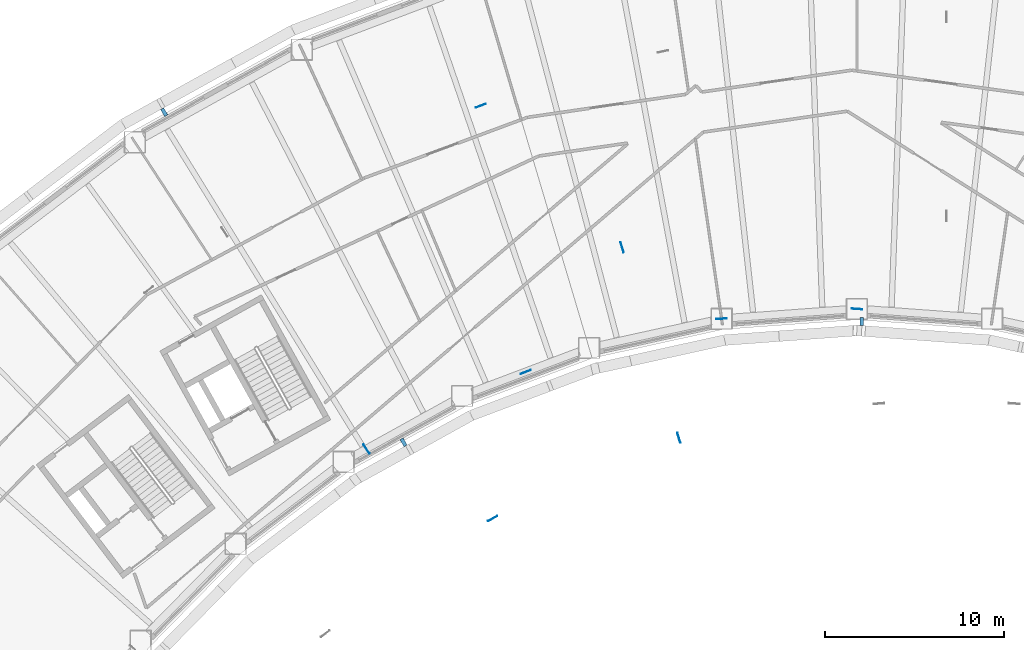
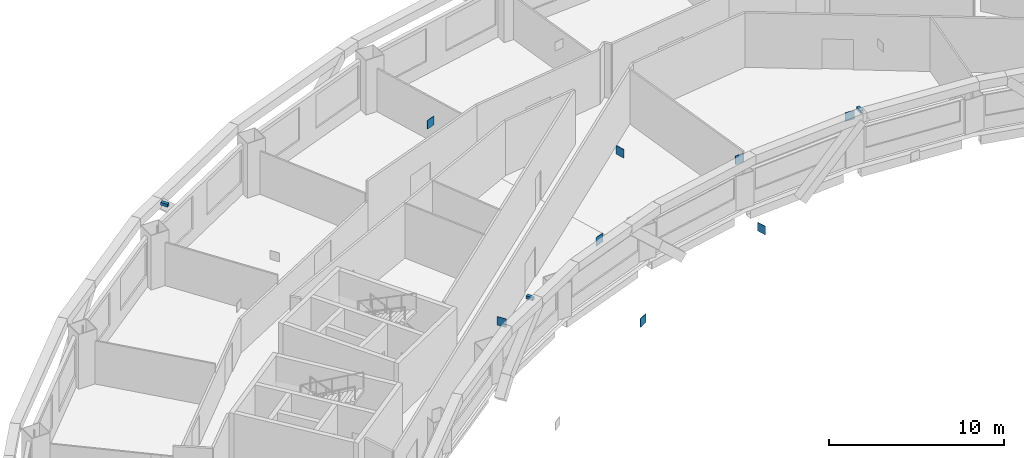
# One storey, part 11 of 19: 11 discrete accessories.
"""IFC4 building model written with IfcOpenShell, lengths in metres."""

from ifc_helpers import new_model, si_unit, direction, frame, origin, origin_2d, place, context, subcontext, project, spatial, rectangle, extrude, material, type_object, element, save


model = new_model("IFC4")

# Units and contexts
model_context = context("Model", 3, precision=1e-05, world=origin(), true_north=direction((0.0, 1.0)))
body_context = subcontext(model_context, "Body", "Model", "MODEL_VIEW")
ifc_project = project(units=[si_unit("LENGTHUNIT", "METRE"), si_unit("AREAUNIT", "SQUARE_METRE"), si_unit("VOLUMEUNIT", "CUBIC_METRE"), si_unit("PLANEANGLEUNIT", "RADIAN"), si_unit("MASSUNIT", "GRAM", prefix="KILO")], contexts=[model_context])

# Site, building, storey
site_placement = place(None, origin())
site = spatial("IfcSite", under=ifc_project, at=site_placement, CompositionType="ELEMENT")
building_placement = place(site_placement, origin())
building = spatial("IfcBuilding", under=site, at=building_placement, Name="Tuul Gate Civic Tower", CompositionType="ELEMENT")
storey_placement = place(building_placement, frame((0.0, 0.0, 90.60009765625)))
storey = spatial("IfcBuildingStorey", under=building, at=storey_placement, Name="Level 20", CompositionType="ELEMENT", Elevation=90.60009765625)

# Discrete accessories
ifc_material_1 = material(Name="Steel S355", Category="steel")
discrete_accessory_type_1 = type_object("IfcDiscreteAccessoryType", Name="Gusset plate", PredefinedType="BRACKET", material=ifc_material_1)
for number, where, z_axis, x_axis, name in (
    (1, (-5.156982421875, -9.853271484375, 2.79638671875), (0.0, 0.0, 1.0), (-0.285212112775, 0.958464423297, 0.0), "Gusset plate"),
    (2, (-22.63916015625, -10.48828125, 2.797119140625), (0.0, 0.0, 1.0), (-0.546721915066, 0.837314246616, 0.0), "Gusset plate"),
    (3, (-8.328125, 0.80419921875, 2.796630859375), (0.0, 0.0, 1.0), (-0.285212112775, 0.958464423297, 0.0), "Gusset plate"),
    (4, (-16.241455078125, 8.728515625, 2.796630859375), (0.0, 0.0, 1.0), (0.935344056956, 0.35373930389, 0.0), "Gusset plate"),
    (5, (-15.577880859375, -14.37744140625, 2.796142578125), (0.0, 0.0, 1.0), (-0.874598044765, -0.484848698146, 0.0), "Gusset plate"),
    (6, (-13.7275390625, -6.174072265625, 2.796142578125), (0.0, 0.0, 1.0), (-0.935323959352, -0.353792440652, 0.0), "Gusset plate"),
    (7, (4.807861328125, -2.648681640625, 2.79638671875), (0.0, 0.0, 1.0), (0.997381904937, -0.07231414595, 0.0), "Gusset plate"),
    (8, (-2.763916015625, -3.19775390625, 2.796142578125), (0.0, 0.0, 1.0), (0.997381904937, 0.07231414595, 0.0), "Gusset plate"),
):
    element("IfcDiscreteAccessory", number, at=place(storey_placement, frame(where, z_axis=z_axis, x_axis=x_axis)), inside=storey, type_object=discrete_accessory_type_1, Name=name, PredefinedType="BRACKET", context=body_context, shape_type="SweptSolid", body=[
        extrude(rectangle(XDim=0.60009765625, YDim=0.030029296875, at=origin_2d()), origin(), (0.0, 0.0, 1.0), 0.60009765625),
    ])
ifc_material_2 = material(Name="Stainless steel", Category="steel")
discrete_accessory_type_2 = type_object("IfcDiscreteAccessoryType", Name="Screen bracket", PredefinedType="BRACKET", material=ifc_material_2)
discrete_accessory_1_placement = place(storey_placement, frame((-33.9580078125, 8.363037109375, 3.75), z_axis=(0.0, 0.0, 1.0), x_axis=(-0.520735495179, 0.853718070595, 0.0)))
element("IfcDiscreteAccessory", 9, at=discrete_accessory_1_placement, inside=storey, type_object=discrete_accessory_type_2, Name="Screen bracket 14", PredefinedType="BRACKET", context=body_context, shape_type="SweptSolid", body=[
    extrude(rectangle(XDim=0.450439453125, YDim=0.199951171875, at=origin_2d()), origin(), (0.0, 0.0, 1.0), 0.199951171875),
])
discrete_accessory_2_placement = place(storey_placement, frame((-20.5634765625, -10.109130859375, 3.75), z_axis=(0.0, 0.0, 1.0), x_axis=(0.490458166846, -0.871464736277, 0.0)))
element("IfcDiscreteAccessory", 10, at=discrete_accessory_2_placement, inside=storey, type_object=discrete_accessory_type_2, Name="Screen bracket 23", PredefinedType="BRACKET", context=body_context, shape_type="SweptSolid", body=[
    extrude(rectangle(XDim=0.449951171875, YDim=0.199951171875, at=origin_2d()), origin(), (0.0, 0.0, 1.0), 0.199951171875),
])
discrete_accessory_3_placement = place(storey_placement, frame((5.072509765625, -3.3447265625, 3.75), z_axis=(0.0, 0.0, 1.0), x_axis=(-0.005103320581, -0.999986977975, 0.0)))
element("IfcDiscreteAccessory", 11, at=discrete_accessory_3_placement, inside=storey, type_object=discrete_accessory_type_2, Name="Screen bracket 26", PredefinedType="BRACKET", context=body_context, shape_type="SweptSolid", body=[
    extrude(rectangle(XDim=0.450927734375, YDim=0.199951171875, at=origin_2d()), origin(), (0.0, 0.0, 1.0), 0.199951171875),
])

save(model, "model.ifc")
